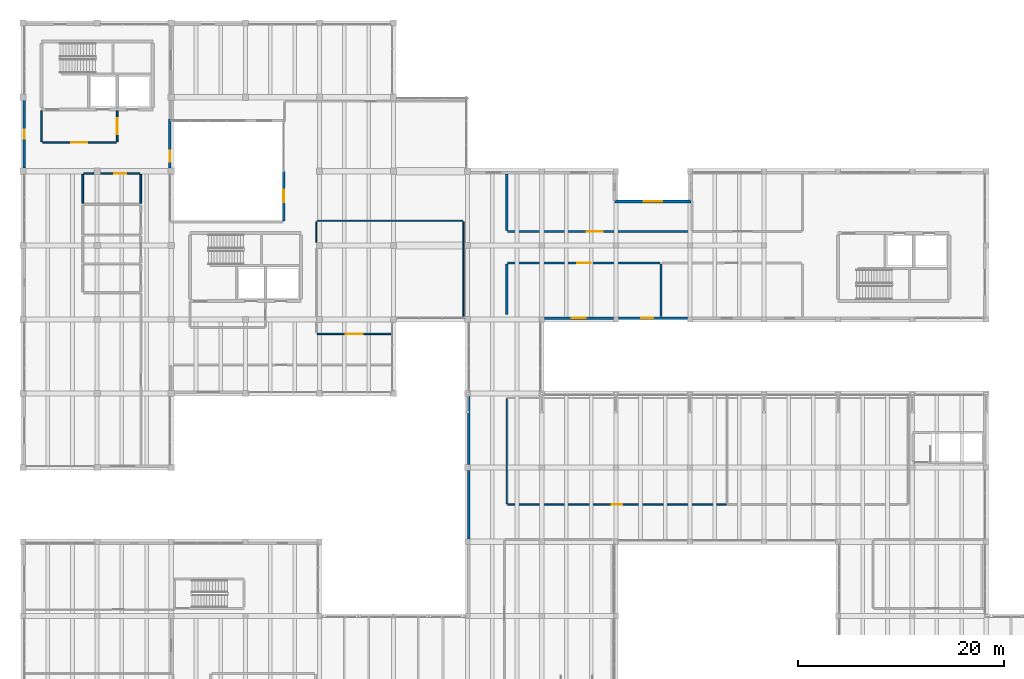
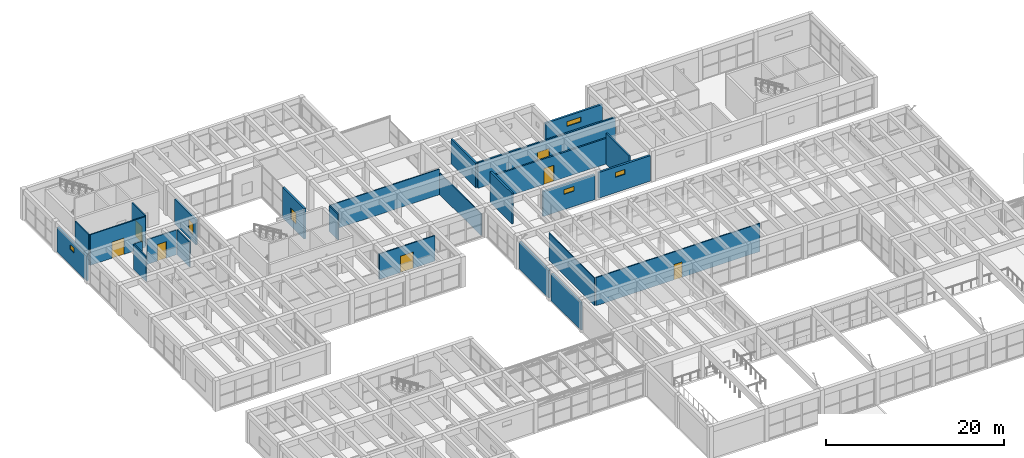
# One storey, part 139 of 153: 26 walls, 7 doors, 6 windows, 13 openings.
"""IFC4 building model written with IfcOpenShell, lengths in metres."""

import ifcopenshell
import ifcopenshell.guid

model = None  # the IFC model being written
_history = None  # IfcOwnerHistory: only IFC2X3 demands one
_inside = {}  # id of a spatial element -> (the spatial element, [elements in it])
_under = {}  # id of a project, library or spatial element -> (it, [spatial elements below it])
_declared = {}  # id of a project -> (the project, [libraries it declares])
_typed = {}  # id of a type object -> (the type object, [elements of that type])
_made_of = {}  # id of a material, layer set ... -> (it, [elements and type objects made of it])


def new_model(schema):
    """Start an empty IFC model of exactly this schema.

    Asked for "IFC4X3", IfcOpenShell would pick the latest addendum, in which some entities
    have other attributes; the version numbers below select the first issue.
    IFC2X3 requires an IfcOwnerHistory on every rooted entity: one is made here for all.
    """
    global model, _history
    if schema == "IFC4X3":
        model = ifcopenshell.file(schema_version=(4, 3, 0, 0))
    else:
        model = ifcopenshell.file(schema=schema)
    _inside.clear()
    _under.clear()
    _declared.clear()
    _typed.clear()
    _made_of.clear()
    _history = None
    if model.schema == "IFC2X3":
        org = make("IfcOrganization", Name="unknown")
        user = make(
            "IfcPersonAndOrganization",
            ThePerson=make("IfcPerson", FamilyName="unknown"),
            TheOrganization=org,
        )
        app = make(
            "IfcApplication",
            ApplicationDeveloper=org,
            Version="unknown",
            ApplicationFullName="unknown",
            ApplicationIdentifier="unknown",
        )
        _history = make(
            "IfcOwnerHistory",
            OwningUser=user,
            OwningApplication=app,
            ChangeAction="ADDED",
            CreationDate=0,
        )
    return model


def make(cls, **values):
    """One entity of the class cls with the attributes given. An attribute that is None is left unset."""
    return model.create_entity(
        cls, **{name: value for name, value in values.items() if value is not None}
    )


def rooted(cls, **values):
    """An entity with a GlobalId (a new one), such as an element, a storey or a relation."""
    return make(cls, GlobalId=ifcopenshell.guid.new(), OwnerHistory=_history, **values)


def si_unit(unit_type, name, prefix=None):
    """IfcSIUnit, for example si_unit("LENGTHUNIT", "METRE", prefix="MILLI")."""
    return make("IfcSIUnit", UnitType=unit_type, Prefix=prefix, Name=name)


def assignment(units):
    """IfcUnitAssignment: the units of a project."""
    return None if units is None else make("IfcUnitAssignment", Units=units)


def point(xyz):
    """IfcCartesianPoint."""
    return None if xyz is None else make("IfcCartesianPoint", Coordinates=xyz)


def direction(xyz):
    """IfcDirection."""
    return None if xyz is None else make("IfcDirection", DirectionRatios=xyz)


def frame(location, z_axis=None, x_axis=None):
    """IfcAxis2Placement3D, a coordinate frame: its origin and axes. An axis left out is left unset."""
    return make(
        "IfcAxis2Placement3D",
        Location=point(location),
        Axis=direction(z_axis),
        RefDirection=direction(x_axis),
    )


def frame_2d(location, x_axis=None):
    """IfcAxis2Placement2D, a coordinate frame in the plane: its origin and x axis."""
    return make(
        "IfcAxis2Placement2D", Location=point(location), RefDirection=direction(x_axis)
    )


def origin():
    """The frame at (0, 0, 0) with its axes left unset."""
    return frame((0.0, 0.0, 0.0))


def place(relative_to, where):
    """IfcLocalPlacement: puts the frame where relative to a parent placement (None: the world)."""
    return make(
        "IfcLocalPlacement", PlacementRelTo=relative_to, RelativePlacement=where
    )


def context(
    kind, dimensions, precision=None, world=None, true_north=None, identifier=None
):
    """IfcGeometricRepresentationContext, for example the 3D "Model" context."""
    return make(
        "IfcGeometricRepresentationContext",
        ContextIdentifier=identifier,
        ContextType=kind,
        CoordinateSpaceDimension=dimensions,
        Precision=precision,
        WorldCoordinateSystem=world,
        TrueNorth=true_north,
    )


def subcontext(parent, identifier, kind, view, scale=None):
    """IfcGeometricRepresentationSubContext, for example "Body" below "Model"."""
    return make(
        "IfcGeometricRepresentationSubContext",
        ContextIdentifier=identifier,
        ContextType=kind,
        ParentContext=parent,
        TargetScale=scale,
        TargetView=view,
    )


def project(units=None, contexts=None):
    """IfcProject with its units and contexts."""
    return rooted(
        "IfcProject",
        Name="project",
        RepresentationContexts=contexts,
        UnitsInContext=assignment(units),
    )


def spatial(cls, under=None, at=None, **own):
    """A site, building, storey or space (cls), placed at a placement, below another one or the project."""
    s = rooted(cls, ObjectPlacement=at, **own)
    if under is not None:
        _under.setdefault(under.id(), (under, []))[1].append(s)
    return s


def profile(cls, at=None, kind="AREA", **sizes):
    """A parametric profile (cls). Its sizes go by their IFC names, for example OverallWidth=200.0."""
    return make(cls, ProfileType=kind, Position=at, **sizes)


def rectangle(**sizes):
    """IfcRectangleProfileDef."""
    return profile("IfcRectangleProfileDef", **sizes)


def extrude(swept, where, along, depth):
    """IfcExtrudedAreaSolid: the profile swept, set in the frame where, extruded along a direction by depth."""
    return make(
        "IfcExtrudedAreaSolid",
        SweptArea=swept,
        Position=where,
        ExtrudedDirection=direction(along),
        Depth=depth,
    )


def shape(context_of_items, identifier, shape_type, items):
    """IfcShapeRepresentation: the items that make up one representation, for example the "Body"."""
    return make(
        "IfcShapeRepresentation",
        ContextOfItems=context_of_items,
        RepresentationIdentifier=identifier,
        RepresentationType=shape_type,
        Items=items,
    )


def material(Name=None, Category=None):
    """IfcMaterial."""
    return make("IfcMaterial", Name=Name, Category=Category)


def layer(
    of_material, thickness, ventilated=None, Name=None, Category=None, Priority=None
):
    """IfcMaterialLayer: one layer of a wall or slab, of a material (None: an air gap)."""
    return make(
        "IfcMaterialLayer",
        Material=of_material,
        LayerThickness=thickness,
        IsVentilated=ventilated,
        Name=Name,
        Category=Category,
        Priority=Priority,
    )


def layer_set(layers, Name=None):
    """IfcMaterialLayerSet."""
    return make("IfcMaterialLayerSet", MaterialLayers=layers, LayerSetName=Name)


def made_of(thing, what):
    """Note that an element or type object is made of a material, layer set ...; save() writes the relation."""
    if what is not None:
        _made_of.setdefault(what.id(), (what, []))[1].append(thing)
    return thing


def type_object(cls, material=None, **own):
    """A type object (cls), such as IfcWallType, which elements share."""
    return made_of(rooted(cls, **own), material)


def element(
    cls,
    number,
    at=None,
    inside=None,
    cuts=None,
    type_object=None,
    material=None,
    context=None,
    identifier="Body",
    shape_type=None,
    held_by="IfcProductDefinitionShape",
    body=None,
    shapes=None,
    **own,
):
    """One element of the class cls, such as IfcWall. Its Tag is "e" and its number.

    at: its placement. inside: the storey or other place that contains it. cuts: it is an
    opening in that element (IfcRelVoidsElement). A single representation is given by context,
    identifier, shape_type and body (its items); several are given by shapes. held_by: the class
    of the entity that holds the representations. save() writes the other relations.
    """
    e = rooted(cls, Tag="e%d" % number, ObjectPlacement=at, **own)
    if body is not None:
        shapes = [shape(context, identifier, shape_type, body)]
    if shapes is not None:
        e.Representation = make(held_by, Representations=shapes)
    if inside is not None:
        _inside.setdefault(inside.id(), (inside, []))[1].append(e)
    if cuts is not None:
        rooted(
            "IfcRelVoidsElement", RelatingBuildingElement=cuts, RelatedOpeningElement=e
        )
    if type_object is not None:
        _typed.setdefault(type_object.id(), (type_object, []))[1].append(e)
    return made_of(e, material)


def fill(opening, filler):
    """IfcRelFillsElement: the door or window that sits in an opening."""
    return rooted(
        "IfcRelFillsElement",
        RelatingOpeningElement=opening,
        RelatedBuildingElement=filler,
    )


def aggregate(whole, parts):
    """IfcRelAggregates: a whole, such as a stair, and the parts it consists of."""
    return rooted("IfcRelAggregates", RelatingObject=whole, RelatedObjects=parts)


def save(model, path):
    """Write the relations noted so far, then the file.

    IfcRelAggregates (storeys below a building ...), IfcRelContainedInSpatialStructure (elements
    in a storey), IfcRelDefinesByType, IfcRelAssociatesMaterial and IfcRelDeclares: one each for
    every whole, place, type object, material and project.
    """
    for whole, parts in _under.values():
        aggregate(whole, parts)
    for where, things in _inside.values():
        rooted(
            "IfcRelContainedInSpatialStructure",
            RelatedElements=things,
            RelatingStructure=where,
        )
    for kind, things in _typed.values():
        rooted("IfcRelDefinesByType", RelatedObjects=things, RelatingType=kind)
    for what, things in _made_of.values():
        rooted("IfcRelAssociatesMaterial", RelatedObjects=things, RelatingMaterial=what)
    for by, libraries in _declared.values():
        rooted("IfcRelDeclares", RelatingContext=by, RelatedDefinitions=libraries)
    model.write(path)


model = new_model("IFC4")

# Units and contexts
model_context = context("Model", 3, precision=1e-05, world=origin(), true_north=direction((0.0, 1.0)))
body_context = subcontext(model_context, "Body", "Model", "MODEL_VIEW")
ifc_project = project(units=[si_unit("LENGTHUNIT", "METRE"), si_unit("AREAUNIT", "SQUARE_METRE"), si_unit("VOLUMEUNIT", "CUBIC_METRE"), si_unit("PLANEANGLEUNIT", "RADIAN"), si_unit("MASSUNIT", "GRAM", prefix="KILO")], contexts=[model_context])

# Site, building, storey
site_placement = place(None, origin())
site = spatial("IfcSite", under=ifc_project, at=site_placement, CompositionType="ELEMENT")
building_placement = place(site_placement, origin())
building = spatial("IfcBuilding", under=site, at=building_placement, Name="Bramvelor Terrace Health Centre", CompositionType="ELEMENT")
storey_placement = place(building_placement, frame((0.0, 0.0, 4.800048828125)))
storey = spatial("IfcBuildingStorey", under=building, at=storey_placement, Name="L02", CompositionType="ELEMENT", Elevation=4.800048828125)

# Walls
ifc_material_1 = material(Name="Acoustic clinical partition board", Category="gypsum")
ifc_layer_1 = layer(ifc_material_1, 0.110107421875)
ifc_layer_set_1 = layer_set([ifc_layer_1], Name="Acoustic clinical partition board")
wall_type_1 = type_object("IfcWallType", Name="WL-CLN-110", PredefinedType="PARTITIONING", material=ifc_layer_set_1)
wall_1_placement = place(storey_placement, frame((42.800048828125, 95.909912109375, 0.0), z_axis=(0.0, 0.0, 1.0), x_axis=(0.0, -1.0, 0.0)))
element("IfcWall", 1, at=wall_1_placement, inside=storey, type_object=wall_type_1, Name="L02 Interior Partition 192", PredefinedType="PARTITIONING", context=body_context, shape_type="SweptSolid", body=[
    extrude(rectangle(XDim=9.260009765625, YDim=0.110107421875, at=frame_2d((4.6298828125, 0.0))), origin(), (0.0, 0.0, 1.0), 3.0),
])
ifc_material_2 = material(Name="Acoustic clinical partition board", Category="gypsum")
ifc_layer_2 = layer(ifc_material_2, 0.1201171875)
ifc_layer_set_2 = layer_set([ifc_layer_2], Name="Acoustic clinical partition board")
wall_type_2 = type_object("IfcWallType", Name="WL-CLN-120", PredefinedType="PARTITIONING", material=ifc_layer_set_2)
wall_2_placement = place(storey_placement, frame((47.0, 68.5, 0.0), z_axis=(0.0, 0.0, 1.0), x_axis=(0.000191296027, 0.999999981703, 0.0)))
element("IfcWall", 2, at=wall_2_placement, inside=storey, type_object=wall_type_2, Name="L02 Interior Partition 167", PredefinedType="PARTITIONING", context=body_context, shape_type="SweptSolid", body=[
    extrude(rectangle(XDim=10.2099609375, YDim=0.1201171875, at=frame_2d((5.10498046875, 0.0))), origin(), (0.0, 0.0, 1.0), 3.75),
])
wall_3_placement = place(storey_placement, frame((28.590087890625, 96.0, 0.0), z_axis=(0.0, 0.0, 1.0), x_axis=(1.0, 0.0, 0.0)))
element("IfcWall", 3, at=wall_3_placement, inside=storey, type_object=wall_type_2, Name="L02 Interior Partition 191", PredefinedType="PARTITIONING", context=body_context, shape_type="SweptSolid", body=[
    extrude(rectangle(XDim=14.119873046875, YDim=0.1201171875, at=frame_2d((7.06005859375, 0.0))), origin(), (0.0, 0.0, 1.0), 3.5),
])
wall_4_placement = place(storey_placement, frame((28.5, 93.9150390625, 0.0), z_axis=(0.0, 0.0, 1.0), x_axis=(0.0, 1.0, 0.0)))
element("IfcWall", 4, at=wall_4_placement, inside=storey, type_object=wall_type_2, Name="L02 Interior Partition 196", PredefinedType="PARTITIONING", context=body_context, shape_type="SweptSolid", body=[
    extrude(rectangle(XDim=1.994873046875, YDim=0.1201171875, at=frame_2d((0.99755859375, 0.0))), origin(), (0.0, 0.0, 1.0), 3.5),
])

# Wall, opening, door
ifc_material_3 = material(Name="Fire-rated gypsum and mineral wool", Category="gypsum")
ifc_layer_3 = layer(ifc_material_3, 0.139892578125)
ifc_layer_set_3 = layer_set([ifc_layer_3], Name="Fire-rated gypsum and mineral wool")
wall_type_3 = type_object("IfcWallType", Name="WL-COR-140", PredefinedType="PARTITIONING", material=ifc_layer_set_3)
wall_5_placement = place(storey_placement, frame((68.31005859375, 68.409912109375, 0.0), z_axis=(0.0, 0.0, 1.0), x_axis=(-1.0, 0.0, 0.0)))
wall_5 = element("IfcWall", 5, at=wall_5_placement, inside=storey, type_object=wall_type_3, Name="L02 Interior Partition 169", PredefinedType="PARTITIONING", context=body_context, shape_type="SweptSolid", body=[
    extrude(rectangle(XDim=21.219970703125, YDim=0.139892578125, at=frame_2d((10.60986328125, 0.0))), origin(), (0.0, 0.0, 1.0), 3.849853515625),
])
opening_1_placement = place(wall_5_placement, frame((10.090087890625, 0.0, 0.0)))
opening_1 = element("IfcOpeningElement", 6, at=opening_1_placement, cuts=wall_5, Name="Opening FD-07", PredefinedType="OPENING", context=body_context, shape_type="SweptSolid", body=[
    extrude(rectangle(XDim=1.0400390625, YDim=2.1201171875, at=frame_2d((0.52001953125, 1.06005859375))), frame((0.0, 0.079833984375, 0.0), z_axis=(0.0, -1.0, 0.0), x_axis=(1.0, 0.0, 0.0)), (0.0, 0.0, 1.0), 0.159912109375),
])
ifc_material_4 = material(Name="Fire-rated steel and vision panel", Category="steel")
door_type_1 = type_object("IfcDoorType", Name="DR-FD60-104", OperationType="NOTDEFINED", PredefinedType="DOOR", material=ifc_material_4)
door_1_placement = place(opening_1_placement, origin())
door_1 = element("IfcDoor", 7, at=door_1_placement, inside=storey, type_object=door_type_1, Name="L02 Audiology and Vision Screening Suite Fire Door", OperationType="SINGLE_SWING_LEFT", OverallHeight=2.1201171875, OverallWidth=1.0400390625, PredefinedType="DOOR", context=body_context, shape_type="SweptSolid", body=[
    extrude(rectangle(XDim=1.0400390625, YDim=2.1201171875, at=frame_2d((0.52001953125, 1.06005859375))), frame((0.0, 0.02490234375, 0.0), z_axis=(0.0, -1.0, 0.0), x_axis=(1.0, 0.0, 0.0)), (0.0, 0.0, 1.0), 0.050048828125),
])
fill(opening_1, door_1)

wall_6_placement = place(storey_placement, frame((35.77001953125, 85.001953125, 0.0), z_axis=(0.0, 0.0, 1.0), x_axis=(-1.0, 0.0, 0.0)))
wall_6 = element("IfcWall", 8, at=wall_6_placement, inside=storey, type_object=wall_type_3, Name="L02 Interior Partition 193", PredefinedType="PARTITIONING", context=body_context, shape_type="SweptSolid", body=[
    extrude(rectangle(XDim=7.179931640625, YDim=0.139892578125, at=frame_2d((3.58984375, 0.0))), origin(), (0.0, 0.0, 1.0), 3.5),
])
opening_2_placement = place(wall_6_placement, frame((2.77001953125, 0.0, 0.0)))
opening_2 = element("IfcOpeningElement", 9, at=opening_2_placement, cuts=wall_6, Name="Opening FD-09", PredefinedType="OPENING", context=body_context, shape_type="SweptSolid", body=[
    extrude(rectangle(XDim=1.639892578125, YDim=2.239990234375, at=frame_2d((0.81982421875, 1.1201171875))), frame((0.0, 0.079833984375, 0.0), z_axis=(0.0, -1.0, 0.0), x_axis=(1.0, 0.0, 0.0)), (0.0, 0.0, 1.0), 0.159912109375),
])
ifc_material_5 = material(Name="Fire-rated steel and vision panel", Category="steel")
door_type_2 = type_object("IfcDoorType", Name="DR-FD60-164", OperationType="DOUBLE_DOOR_SINGLE_SWING", PredefinedType="DOOR", material=ifc_material_5)
door_2_placement = place(opening_2_placement, origin())
door_2 = element("IfcDoor", 10, at=door_2_placement, inside=storey, type_object=door_type_2, Name="L02 Obstetrics Ultrasound Suite Fire Door", OperationType="DOUBLE_DOOR_SINGLE_SWING", OverallHeight=2.239990234375, OverallWidth=1.639892578125, PredefinedType="DOOR", context=body_context, shape_type="SweptSolid", body=[
    extrude(rectangle(XDim=1.639892578125, YDim=2.239990234375, at=frame_2d((0.81982421875, 1.1201171875))), frame((0.0, 0.02490234375, 0.0), z_axis=(0.0, -1.0, 0.0), x_axis=(1.0, 0.0, 0.0)), (0.0, 0.0, 1.0), 0.050048828125),
])
fill(opening_2, door_2)

# Wall, opening, window
ifc_material_6 = material(Name="Concrete C40/50", Category="concrete")
ifc_layer_4 = layer(ifc_material_6, 0.260009765625)
ifc_layer_set_4 = layer_set([ifc_layer_4], Name="Concrete C40/50")
wall_type_4 = type_object("IfcWallType", Name="WL-EXT-RAD260", PredefinedType="SOLIDWALL", material=ifc_layer_set_4)
wall_7_placement = place(storey_placement, frame((57.5390625, 97.8701171875, 0.0), z_axis=(0.0, 0.0, 1.0), x_axis=(1.0, 0.0, 0.0)))
wall_7 = element("IfcWall", 11, at=wall_7_placement, inside=storey, type_object=wall_type_4, Name="L02 Exterior Facade Wall 30", PredefinedType="SOLIDWALL", context=body_context, shape_type="SweptSolid", body=[
    extrude(rectangle(XDim=7.36181640625, YDim=0.260009765625, at=frame_2d((3.680908203125, 0.0))), origin(), (0.0, 0.0, 1.0), 3.5),
])
opening_3_placement = place(wall_7_placement, frame((2.760986328125, 0.0, 2.10009765625)))
opening_3 = element("IfcOpeningElement", 12, at=opening_3_placement, cuts=wall_7, Name="Opening WN-08", PredefinedType="OPENING", context=body_context, shape_type="SweptSolid", body=[
    extrude(rectangle(XDim=1.800048828125, YDim=0.64990234375, at=frame_2d((0.89990234375, 0.324951171875))), frame((0.0, 0.139892578125, 0.0), z_axis=(0.0, -1.0, 0.0), x_axis=(1.0, 0.0, 0.0)), (0.0, 0.0, 1.0), 0.280029296875),
])
ifc_material_7 = material(Name="Double low-E laminated glass", Category="glass")
window_type_1 = type_object("IfcWindowType", Name="WIN-EXT-08", PartitioningType="SINGLE_PANEL", PredefinedType="WINDOW", material=ifc_material_7)
window_1_placement = place(opening_3_placement, origin())
window_1 = element("IfcWindow", 13, at=window_1_placement, inside=storey, type_object=window_type_1, Name="L02 Scheduled Clinical Window 68", OverallHeight=0.64990234375, OverallWidth=1.800048828125, PartitioningType="SINGLE_PANEL", PredefinedType="WINDOW", context=body_context, shape_type="SweptSolid", body=[
    extrude(rectangle(XDim=1.800048828125, YDim=0.64990234375, at=frame_2d((0.89990234375, 0.324951171875))), frame((0.0, 0.030029296875, 0.0), z_axis=(0.0, -1.0, 0.0), x_axis=(1.0, 0.0, 0.0)), (0.0, 0.0, 1.0), 0.06005859375),
])
fill(opening_3, window_1)

wall_8_placement = place(storey_placement, frame((64.554931640625, 86.530029296875, 0.0), z_axis=(0.0, 0.0, 1.0), x_axis=(-1.0, 0.0, 0.0)))
wall_8 = element("IfcWall", 14, at=wall_8_placement, inside=storey, type_object=wall_type_4, Name="L02 Exterior Facade Wall 42", PredefinedType="SOLIDWALL", context=body_context, shape_type="SweptSolid", body=[
    extrude(rectangle(XDim=6.7099609375, YDim=0.260009765625, at=frame_2d((3.35498046875, 0.0))), origin(), (0.0, 0.0, 1.0), 3.5),
])
opening_4_placement = place(wall_8_placement, frame((3.304931640625, 0.0, 2.10009765625)))
opening_4 = element("IfcOpeningElement", 15, at=opening_4_placement, cuts=wall_8, Name="Opening WN-04", PredefinedType="OPENING", context=body_context, shape_type="SweptSolid", body=[
    extrude(rectangle(XDim=1.199951171875, YDim=0.64990234375, at=frame_2d((0.60009765625, 0.324951171875))), frame((0.0, 0.139892578125, 0.0), z_axis=(0.0, -1.0, 0.0), x_axis=(1.0, 0.0, 0.0)), (0.0, 0.0, 1.0), 0.280029296875),
])
ifc_material_8 = material(Name="Double low-E laminated glass", Category="glass")
window_type_2 = type_object("IfcWindowType", Name="WIN-EXT-04", PartitioningType="SINGLE_PANEL", PredefinedType="WINDOW", material=ifc_material_8)
window_2_placement = place(opening_4_placement, origin())
window_2 = element("IfcWindow", 16, at=window_2_placement, inside=storey, type_object=window_type_2, Name="L02 Scheduled Clinical Window 76", OverallHeight=0.64990234375, OverallWidth=1.199951171875, PartitioningType="SINGLE_PANEL", PredefinedType="WINDOW", context=body_context, shape_type="SweptSolid", body=[
    extrude(rectangle(XDim=1.199951171875, YDim=0.64990234375, at=frame_2d((0.60009765625, 0.324951171875))), frame((0.0, 0.030029296875, 0.0), z_axis=(0.0, -1.0, 0.0), x_axis=(1.0, 0.0, 0.0)), (0.0, 0.0, 1.0), 0.06005859375),
])
fill(opening_4, window_2)

wall_9_placement = place(storey_placement, frame((57.35498046875, 86.530029296875, 0.0), z_axis=(0.0, 0.0, 1.0), x_axis=(-1.0, 0.0, 0.0)))
wall_9 = element("IfcWall", 17, at=wall_9_placement, inside=storey, type_object=wall_type_4, Name="L02 Exterior Facade Wall 43", PredefinedType="SOLIDWALL", context=body_context, shape_type="SweptSolid", body=[
    extrude(rectangle(XDim=6.7099609375, YDim=0.260009765625, at=frame_2d((3.35498046875, 0.0))), origin(), (0.0, 0.0, 1.0), 3.39990234375),
])
opening_5_placement = place(wall_9_placement, frame((2.679931640625, 0.0, 2.10009765625)))
opening_5 = element("IfcOpeningElement", 18, at=opening_5_placement, cuts=wall_9, Name="Opening WN-05", PredefinedType="OPENING", context=body_context, shape_type="SweptSolid", body=[
    extrude(rectangle(XDim=1.35009765625, YDim=0.64990234375, at=frame_2d((0.675048828125, 0.324951171875))), frame((0.0, 0.139892578125, 0.0), z_axis=(0.0, -1.0, 0.0), x_axis=(1.0, 0.0, 0.0)), (0.0, 0.0, 1.0), 0.280029296875),
])
ifc_material_9 = material(Name="Double low-E laminated glass", Category="glass")
window_type_3 = type_object("IfcWindowType", Name="WIN-EXT-05", PartitioningType="SINGLE_PANEL", PredefinedType="WINDOW", material=ifc_material_9)
window_3_placement = place(opening_5_placement, origin())
window_3 = element("IfcWindow", 19, at=window_3_placement, inside=storey, type_object=window_type_3, Name="L02 Scheduled Clinical Window 77", OverallHeight=0.64990234375, OverallWidth=1.35009765625, PartitioningType="SINGLE_PANEL", PredefinedType="WINDOW", context=body_context, shape_type="SweptSolid", body=[
    extrude(rectangle(XDim=1.35009765625, YDim=0.64990234375, at=frame_2d((0.675048828125, 0.324951171875))), frame((0.0, 0.030029296875, 0.0), z_axis=(0.0, -1.0, 0.0), x_axis=(1.0, 0.0, 0.0)), (0.0, 0.0, 1.0), 0.06005859375),
])
fill(opening_5, window_3)

# Walls
ifc_material_10 = material(Name="Precast concrete C40/50", Category="concrete")
ifc_layer_5 = layer(ifc_material_10, 0.239990234375)
ifc_layer_set_5 = layer_set([ifc_layer_5], Name="Precast concrete C40/50")
wall_type_5 = type_object("IfcWallType", Name="WL-EXT-RC240", PredefinedType="SOLIDWALL", material=ifc_layer_set_5)
wall_10_placement = place(storey_placement, frame((43.330078125, 65.044921875, 0.0), z_axis=(0.0, 0.0, 1.0), x_axis=(0.0, 1.0, 0.0)))
element("IfcWall", 20, at=wall_10_placement, inside=storey, type_object=wall_type_5, Name="L02 Exterior Facade Wall 2", PredefinedType="SOLIDWALL", context=body_context, shape_type="SweptSolid", body=[
    extrude(rectangle(XDim=6.66015625, YDim=0.239990234375, at=frame_2d((3.330078125, 0.0))), origin(), (0.0, 0.0, 1.0), 3.75),
])
wall_11_placement = place(storey_placement, frame((43.330078125, 72.294921875, 0.0), z_axis=(0.0, 0.0, 1.0), x_axis=(0.0, 1.0, 0.0)))
element("IfcWall", 21, at=wall_11_placement, inside=storey, type_object=wall_type_5, Name="L02 Exterior Facade Wall 3", PredefinedType="SOLIDWALL", context=body_context, shape_type="SweptSolid", body=[
    extrude(rectangle(XDim=6.610107421875, YDim=0.239990234375, at=frame_2d((3.30517578125, 0.0))), origin(), (0.0, 0.0, 1.0), 3.75),
])

# Wall, opening, window
wall_12_placement = place(storey_placement, frame((0.1298828125, 101.094970703125, 0.0), z_axis=(0.0, 0.0, 1.0), x_axis=(0.0, 1.0, 0.0)))
wall_12 = element("IfcWall", 22, at=wall_12_placement, inside=storey, type_object=wall_type_5, Name="L02 Exterior Facade Wall 17", PredefinedType="SOLIDWALL", context=body_context, shape_type="SweptSolid", body=[
    extrude(rectangle(XDim=6.610107421875, YDim=0.239990234375, at=frame_2d((3.30517578125, 0.0))), origin(), (0.0, 0.0, 1.0), 3.39990234375),
])
opening_6_placement = place(wall_12_placement, frame((2.85498046875, 0.0, 2.10009765625)))
opening_6 = element("IfcOpeningElement", 23, at=opening_6_placement, cuts=wall_12, Name="Opening WN-02", PredefinedType="OPENING", context=body_context, shape_type="SweptSolid", body=[
    extrude(rectangle(XDim=0.89990234375, YDim=0.64990234375, at=frame_2d((0.449951171875, 0.324951171875))), frame((0.0, 0.1298828125, 0.0), z_axis=(0.0, -1.0, 0.0), x_axis=(1.0, 0.0, 0.0)), (0.0, 0.0, 1.0), 0.260009765625),
])
ifc_material_11 = material(Name="Double low-E laminated glass", Category="glass")
window_type_4 = type_object("IfcWindowType", Name="WIN-EXT-02", PartitioningType="SINGLE_PANEL", PredefinedType="WINDOW", material=ifc_material_11)
window_4_placement = place(opening_6_placement, origin())
window_4 = element("IfcWindow", 24, at=window_4_placement, inside=storey, type_object=window_type_4, Name="L02 Scheduled Clinical Window 62", OverallHeight=0.64990234375, OverallWidth=0.89990234375, PartitioningType="SINGLE_PANEL", PredefinedType="WINDOW", context=body_context, shape_type="SweptSolid", body=[
    extrude(rectangle(XDim=0.89990234375, YDim=0.64990234375, at=frame_2d((0.449951171875, 0.324951171875))), frame((0.0, 0.030029296875, 0.0), z_axis=(0.0, -1.0, 0.0), x_axis=(1.0, 0.0, 0.0)), (0.0, 0.0, 1.0), 0.06005859375),
])
fill(opening_6, window_4)

wall_13_placement = place(storey_placement, frame((14.27001953125, 105.861083984375, 0.0), z_axis=(0.0, 0.0, 1.0), x_axis=(0.0, -1.0, 0.0)))
wall_13 = element("IfcWall", 25, at=wall_13_placement, inside=storey, type_object=wall_type_5, Name="L02 Exterior Facade Wall 123", PredefinedType="SOLIDWALL", context=body_context, shape_type="SweptSolid", body=[
    extrude(rectangle(XDim=4.76611328125, YDim=0.239990234375, at=frame_2d((2.383056640625, 0.0))), origin(), (0.0, 0.0, 1.0), 3.39990234375),
])
opening_7_placement = place(wall_13_placement, frame((3.07861328125, 0.0, 0.949951171875)))
opening_7 = element("IfcOpeningElement", 26, at=opening_7_placement, cuts=wall_13, Name="Opening WN-39", PredefinedType="OPENING", context=body_context, shape_type="SweptSolid", body=[
    extrude(rectangle(XDim=1.050048828125, YDim=1.550048828125, at=frame_2d((0.52490234375, 0.77490234375))), frame((0.0, 0.1298828125, 0.0), z_axis=(0.0, -1.0, 0.0), x_axis=(1.0, 0.0, 0.0)), (0.0, 0.0, 1.0), 0.260009765625),
])
ifc_material_12 = material(Name="Double low-E laminated glass", Category="glass")
window_type_5 = type_object("IfcWindowType", Name="WIN-EXT-39", PartitioningType="SINGLE_PANEL", PredefinedType="WINDOW", material=ifc_material_12)
window_5_placement = place(opening_7_placement, origin())
window_5 = element("IfcWindow", 27, at=window_5_placement, inside=storey, type_object=window_type_5, Name="L02 Scheduled Clinical Window 99", OverallHeight=1.550048828125, OverallWidth=1.050048828125, PartitioningType="SINGLE_PANEL", PredefinedType="WINDOW", context=body_context, shape_type="SweptSolid", body=[
    extrude(rectangle(XDim=1.050048828125, YDim=1.550048828125, at=frame_2d((0.52490234375, 0.77490234375))), frame((0.0, 0.030029296875, 0.0), z_axis=(0.0, -1.0, 0.0), x_axis=(1.0, 0.0, 0.0)), (0.0, 0.0, 1.0), 0.06005859375),
])
fill(opening_7, window_5)

wall_14_placement = place(storey_placement, frame((25.330078125, 95.97998046875, 0.0), z_axis=(0.0, 0.0, 1.0), x_axis=(0.0, 1.0, 0.0)))
wall_14 = element("IfcWall", 28, at=wall_14_placement, inside=storey, type_object=wall_type_5, Name="L02 Exterior Facade Wall 127", PredefinedType="SOLIDWALL", context=body_context, shape_type="SweptSolid", body=[
    extrude(rectangle(XDim=4.820068359375, YDim=0.239990234375, at=frame_2d((2.41015625, 0.0))), origin(), (0.0, 0.0, 1.0), 4.199951171875),
])
opening_8_placement = place(wall_14_placement, frame((1.81005859375, 0.0, 0.949951171875)))
opening_8 = element("IfcOpeningElement", 29, at=opening_8_placement, cuts=wall_14, Name="Opening WN-40", PredefinedType="OPENING", context=body_context, shape_type="SweptSolid", body=[
    extrude(rectangle(XDim=1.199951171875, YDim=1.550048828125, at=frame_2d((0.60009765625, 0.77490234375))), frame((0.0, 0.1298828125, 0.0), z_axis=(0.0, -1.0, 0.0), x_axis=(1.0, 0.0, 0.0)), (0.0, 0.0, 1.0), 0.260009765625),
])
ifc_material_13 = material(Name="Double low-E laminated glass", Category="glass")
window_type_6 = type_object("IfcWindowType", Name="WIN-EXT-40", PartitioningType="SINGLE_PANEL", PredefinedType="WINDOW", material=ifc_material_13)
window_6_placement = place(opening_8_placement, origin())
window_6 = element("IfcWindow", 30, at=window_6_placement, inside=storey, type_object=window_type_6, Name="L02 Scheduled Clinical Window 100", OverallHeight=1.550048828125, OverallWidth=1.199951171875, PartitioningType="SINGLE_PANEL", PredefinedType="WINDOW", context=body_context, shape_type="SweptSolid", body=[
    extrude(rectangle(XDim=1.199951171875, YDim=1.550048828125, at=frame_2d((0.60009765625, 0.77490234375))), frame((0.0, 0.030029296875, 0.0), z_axis=(0.0, -1.0, 0.0), x_axis=(1.0, 0.0, 0.0)), (0.0, 0.0, 1.0), 0.06005859375),
])
fill(opening_8, window_6)

# Wall
ifc_material_14 = material(Name="Fire-rated gypsum and mineral wool", Category="gypsum")
ifc_layer_6 = layer(ifc_material_14, 0.14990234375)
ifc_layer_set_6 = layer_set([ifc_layer_6], Name="Fire-rated gypsum and mineral wool")
wall_type_6 = type_object("IfcWallType", Name="WL-FIR-150", PredefinedType="PARTITIONING", material=ifc_layer_set_6)
wall_15_placement = place(storey_placement, frame((1.800048828125, 103.68994140625, 0.0), z_axis=(0.0, 0.0, 1.0), x_axis=(0.0, 1.0, 0.0)))
element("IfcWall", 31, at=wall_15_placement, inside=storey, type_object=wall_type_6, Name="L02 Interior Partition 140", PredefinedType="PARTITIONING", context=body_context, shape_type="SweptSolid", body=[
    extrude(rectangle(XDim=3.01513671875, YDim=0.14990234375, at=frame_2d((1.507568359375, 0.0))), origin(), (0.0, 0.0, 1.0), 4.199951171875),
])

# Wall, opening, door
wall_16_placement = place(storey_placement, frame((9.14990234375, 106.68310546875, 0.0), z_axis=(0.0, 0.0, 1.0), x_axis=(0.0, -1.0, 0.0)))
wall_16 = element("IfcWall", 32, at=wall_16_placement, inside=storey, type_object=wall_type_6, Name="L02 Interior Partition 141", PredefinedType="PARTITIONING", context=body_context, shape_type="SweptSolid", body=[
    extrude(rectangle(XDim=2.9931640625, YDim=0.14990234375, at=frame_2d((1.49658203125, 0.0))), origin(), (0.0, 0.0, 1.0), 4.199951171875),
])
opening_9_placement = place(wall_16_placement, frame((0.716552734375, 0.0, 0.0)))
opening_9 = element("IfcOpeningElement", 33, at=opening_9_placement, cuts=wall_16, Name="Opening FD-03", PredefinedType="OPENING", context=body_context, shape_type="SweptSolid", body=[
    extrude(rectangle(XDim=1.56005859375, YDim=2.219970703125, at=frame_2d((0.780029296875, 1.10986328125))), frame((0.0, 0.0849609375, 0.0), z_axis=(0.0, -1.0, 0.0), x_axis=(1.0, 0.0, 0.0)), (0.0, 0.0, 1.0), 0.169921875),
])
ifc_material_15 = material(Name="Fire-rated steel and vision panel", Category="steel")
door_type_3 = type_object("IfcDoorType", Name="DR-FD90-156", OperationType="DOUBLE_DOOR_SINGLE_SWING", PredefinedType="DOOR", material=ifc_material_15)
door_3_placement = place(opening_9_placement, origin())
door_3 = element("IfcDoor", 34, at=door_3_placement, inside=storey, type_object=door_type_3, Name="L02 Fire Compartment Lobby Door 55", OperationType="DOUBLE_DOOR_SINGLE_SWING", OverallHeight=2.219970703125, OverallWidth=1.56005859375, PredefinedType="DOOR", context=body_context, shape_type="SweptSolid", body=[
    extrude(rectangle(XDim=1.56005859375, YDim=2.219970703125, at=frame_2d((0.780029296875, 1.10986328125))), frame((0.0, 0.02490234375, 0.0), z_axis=(0.0, -1.0, 0.0), x_axis=(1.0, 0.0, 0.0)), (0.0, 0.0, 1.0), 0.050048828125),
])
fill(opening_9, door_3)

wall_17_placement = place(storey_placement, frame((9.06005859375, 103.60009765625, 0.0), z_axis=(0.0, 0.0, 1.0), x_axis=(-1.0, 0.0, 0.0)))
wall_17 = element("IfcWall", 35, at=wall_17_placement, inside=storey, type_object=wall_type_6, Name="L02 Interior Partition 142", PredefinedType="PARTITIONING", context=body_context, shape_type="SweptSolid", body=[
    extrude(rectangle(XDim=7.170166015625, YDim=0.14990234375, at=frame_2d((3.5849609375, 0.0))), origin(), (0.0, 0.0, 1.0), 4.199951171875),
])
opening_10_placement = place(wall_17_placement, frame((2.804931640625, 0.0, 0.0)))
opening_10 = element("IfcOpeningElement", 36, at=opening_10_placement, cuts=wall_17, Name="Opening FD-03", PredefinedType="OPENING", context=body_context, shape_type="SweptSolid", body=[
    extrude(rectangle(XDim=1.56005859375, YDim=2.219970703125, at=frame_2d((0.780029296875, 1.10986328125))), frame((0.0, 0.0849609375, 0.0), z_axis=(0.0, -1.0, 0.0), x_axis=(1.0, 0.0, 0.0)), (0.0, 0.0, 1.0), 0.169921875),
])
door_4_placement = place(opening_10_placement, origin())
door_4 = element("IfcDoor", 37, at=door_4_placement, inside=storey, type_object=door_type_3, Name="L02 Fire Compartment Lobby Door 56", OperationType="DOUBLE_DOOR_SINGLE_SWING", OverallHeight=2.219970703125, OverallWidth=1.56005859375, PredefinedType="DOOR", context=body_context, shape_type="SweptSolid", body=[
    extrude(rectangle(XDim=1.56005859375, YDim=2.219970703125, at=frame_2d((0.780029296875, 1.10986328125))), frame((0.0, 0.02490234375, 0.0), z_axis=(0.0, -1.0, 0.0), x_axis=(1.0, 0.0, 0.0)), (0.0, 0.0, 1.0), 0.050048828125),
])
fill(opening_10, door_4)

# Wall
ifc_material_16 = material(Name="Moisture-resistant service chase board", Category="gypsum")
ifc_layer_7 = layer(ifc_material_16, 0.159912109375)
ifc_layer_set_7 = layer_set([ifc_layer_7], Name="Moisture-resistant service chase board")
wall_type_7 = type_object("IfcWallType", Name="WL-PLM-160", PredefinedType="PLUMBINGWALL", material=ifc_layer_set_7)
wall_18_placement = place(storey_placement, frame((5.889892578125, 100.597900390625, 0.0), z_axis=(0.0, 0.0, 1.0), x_axis=(1.0, 0.0, 0.0)))
element("IfcWall", 38, at=wall_18_placement, inside=storey, type_object=wall_type_7, Name="L02 Interior Partition 146", PredefinedType="PLUMBINGWALL", context=body_context, shape_type="SweptSolid", body=[
    extrude(rectangle(XDim=0.9951171875, YDim=0.159912109375, at=frame_2d((0.49755859375, 0.0))), origin(), (0.0, 0.0, 1.0), 3.39990234375),
])

# Wall, opening, door
wall_19_placement = place(storey_placement, frame((7.514892578125, 100.597900390625, 0.0), z_axis=(0.0, 0.0, 1.0), x_axis=(1.0, 0.0, 0.0)))
wall_19 = element("IfcWall", 39, at=wall_19_placement, inside=storey, type_object=wall_type_7, Name="L02 Interior Partition 147", PredefinedType="PLUMBINGWALL", context=body_context, shape_type="SweptSolid", body=[
    extrude(rectangle(XDim=3.835205078125, YDim=0.159912109375, at=frame_2d((1.91748046875, 0.0))), origin(), (0.0, 0.0, 1.0), 3.39990234375),
])
opening_11_placement = place(wall_19_placement, frame((1.33740234375, 0.0, 0.0)))
opening_11 = element("IfcOpeningElement", 40, at=opening_11_placement, cuts=wall_19, Name="Opening ID-C05", PredefinedType="OPENING", context=body_context, shape_type="SweptSolid", body=[
    extrude(rectangle(XDim=1.159912109375, YDim=2.260009765625, at=frame_2d((0.580078125, 1.1298828125))), frame((0.0, 0.08984375, 0.0), z_axis=(0.0, -1.0, 0.0), x_axis=(1.0, 0.0, 0.0)), (0.0, 0.0, 1.0), 0.179931640625),
])
ifc_material_17 = material(Name="Solid-core acoustic timber laminate", Category="wood")
door_type_4 = type_object("IfcDoorType", Name="DR-CLN-05", OperationType="NOTDEFINED", PredefinedType="DOOR", material=ifc_material_17)
door_5_placement = place(opening_11_placement, origin())
door_5 = element("IfcDoor", 41, at=door_5_placement, inside=storey, type_object=door_type_4, Name="L02 Accessible Male WC Clinical Door", OperationType="SINGLE_SWING_LEFT", OverallHeight=2.260009765625, OverallWidth=1.159912109375, PredefinedType="DOOR", context=body_context, shape_type="SweptSolid", body=[
    extrude(rectangle(XDim=1.159912109375, YDim=2.260009765625, at=frame_2d((0.580078125, 1.1298828125))), frame((0.0, 0.02490234375, 0.0), z_axis=(0.0, -1.0, 0.0), x_axis=(1.0, 0.0, 0.0)), (0.0, 0.0, 1.0), 0.050048828125),
])
fill(opening_11, door_5)

# Walls
for number, where, z_axis, x_axis, name in (
    (42, (11.43994140625, 100.508056640625, 0.0), (0.0, 0.0, 1.0), (0.0, -1.0, 0.0), "L02 Interior Partition 148"),
    (43, (5.800048828125, 97.68994140625, 0.0), (0.0, 0.0, 1.0), (0.0, 1.0, 0.0), "L02 Interior Partition 150"),
):
    element("IfcWall", number, at=place(storey_placement, frame(where, z_axis=z_axis, x_axis=x_axis)), inside=storey, type_object=wall_type_7, Name=name, PredefinedType="PLUMBINGWALL", context=body_context, shape_type="SweptSolid", body=[
        extrude(rectangle(XDim=2.818115234375, YDim=0.159912109375, at=frame_2d((1.4091796875, 0.0))), origin(), (0.0, 0.0, 1.0), 3.39990234375),
    ])
ifc_material_18 = material(Name="Concrete C40/50", Category="concrete")
ifc_layer_8 = layer(ifc_material_18, 0.2099609375)
ifc_layer_set_8 = layer_set([ifc_layer_8], Name="Concrete C40/50")
wall_type_8 = type_object("IfcWallType", Name="WL-RAD-210", PredefinedType="SOLIDWALL", material=ifc_layer_set_8)
wall_20_placement = place(storey_placement, frame((47.001953125, 86.889892578125, 0.0), z_axis=(0.0, 0.0, 1.0), x_axis=(0.0, 1.0, 0.0)))
element("IfcWall", 44, at=wall_20_placement, inside=storey, type_object=wall_type_8, Name="L02 Interior Partition 201", PredefinedType="SOLIDWALL", context=body_context, shape_type="SweptSolid", body=[
    extrude(rectangle(XDim=4.918212890625, YDim=0.2099609375, at=frame_2d((2.458984375, 0.0))), origin(), (0.0, 0.0, 1.0), 4.199951171875),
])

# Wall, opening, door
wall_21_placement = place(storey_placement, frame((47.092041015625, 91.89794921875, 0.0), z_axis=(0.0, 0.0, 1.0), x_axis=(1.0, 0.0, 0.0)))
wall_21 = element("IfcWall", 45, at=wall_21_placement, inside=storey, type_object=wall_type_8, Name="L02 Interior Partition 202", PredefinedType="SOLIDWALL", context=body_context, shape_type="SweptSolid", body=[
    extrude(rectangle(XDim=14.81787109375, YDim=0.2099609375, at=frame_2d((7.408935546875, 0.0))), origin(), (0.0, 0.0, 1.0), 3.5),
])
opening_12_placement = place(wall_21_placement, frame((6.76904296875, 0.0, 0.0)))
opening_12 = element("IfcOpeningElement", 46, at=opening_12_placement, cuts=wall_21, Name="Opening FD-01", PredefinedType="OPENING", context=body_context, shape_type="SweptSolid", body=[
    extrude(rectangle(XDim=1.280029296875, YDim=2.179931640625, at=frame_2d((0.64013671875, 1.08984375))), frame((0.0, 0.114990234375, 0.0), z_axis=(0.0, -1.0, 0.0), x_axis=(1.0, 0.0, 0.0)), (0.0, 0.0, 1.0), 0.22998046875),
])
ifc_material_19 = material(Name="Fire-rated steel and vision panel", Category="steel")
door_type_5 = type_object("IfcDoorType", Name="DR-FD90-128", OperationType="NOTDEFINED", PredefinedType="DOOR", material=ifc_material_19)
door_6_placement = place(opening_12_placement, origin())
door_6 = element("IfcDoor", 47, at=door_6_placement, inside=storey, type_object=door_type_5, Name="L02 Digital Radiography X-Ray Room 1 Fire Door", OperationType="SINGLE_SWING_RIGHT", OverallHeight=2.179931640625, OverallWidth=1.280029296875, PredefinedType="DOOR", context=body_context, shape_type="SweptSolid", body=[
    extrude(rectangle(XDim=1.280029296875, YDim=2.179931640625, at=frame_2d((0.64013671875, 1.08984375))), frame((0.0, 0.02490234375, 0.0), z_axis=(0.0, -1.0, 0.0), x_axis=(1.0, 0.0, 0.0)), (0.0, 0.0, 1.0), 0.050048828125),
])
fill(opening_12, door_6)

# Wall
wall_22_placement = place(storey_placement, frame((62.0, 91.80810546875, 0.0), z_axis=(0.0, 0.0, 1.0), x_axis=(0.0, -1.0, 0.0)))
element("IfcWall", 48, at=wall_22_placement, inside=storey, type_object=wall_type_8, Name="L02 Interior Partition 203", PredefinedType="SOLIDWALL", context=body_context, shape_type="SweptSolid", body=[
    extrude(rectangle(XDim=5.13818359375, YDim=0.2099609375, at=frame_2d((2.569091796875, 0.0))), origin(), (0.0, 0.0, 1.0), 4.199951171875),
])

# Wall, opening, door
wall_23_placement = place(storey_placement, frame((64.909912109375, 94.951904296875, 0.0), z_axis=(0.0, 0.0, 1.0), x_axis=(-1.0, 0.0, 0.0)))
wall_23 = element("IfcWall", 49, at=wall_23_placement, inside=storey, type_object=wall_type_8, Name="L02 Interior Partition 207", PredefinedType="SOLIDWALL", context=body_context, shape_type="SweptSolid", body=[
    extrude(rectangle(XDim=17.81982421875, YDim=0.2099609375, at=frame_2d((8.909912109375, 0.0))), origin(), (0.0, 0.0, 1.0), 3.5),
])
opening_13_placement = place(wall_23_placement, frame((8.580078125, 0.0, 0.0)))
opening_13 = element("IfcOpeningElement", 50, at=opening_13_placement, cuts=wall_23, Name="Opening FD-03", PredefinedType="OPENING", context=body_context, shape_type="SweptSolid", body=[
    extrude(rectangle(XDim=1.56005859375, YDim=2.219970703125, at=frame_2d((0.780029296875, 1.10986328125))), frame((0.0, 0.114990234375, 0.0), z_axis=(0.0, -1.0, 0.0), x_axis=(1.0, 0.0, 0.0)), (0.0, 0.0, 1.0), 0.22998046875),
])
door_7_placement = place(opening_13_placement, origin())
door_7 = element("IfcDoor", 51, at=door_7_placement, inside=storey, type_object=door_type_3, Name="L02 Mammography Screening Suite Fire Door", OperationType="DOUBLE_DOOR_SINGLE_SWING", OverallHeight=2.219970703125, OverallWidth=1.56005859375, PredefinedType="DOOR", context=body_context, shape_type="SweptSolid", body=[
    extrude(rectangle(XDim=1.56005859375, YDim=2.219970703125, at=frame_2d((0.780029296875, 1.10986328125))), frame((0.0, 0.02490234375, 0.0), z_axis=(0.0, -1.0, 0.0), x_axis=(1.0, 0.0, 0.0)), (0.0, 0.0, 1.0), 0.050048828125),
])
fill(opening_13, door_7)

# Wall
wall_24_placement = place(storey_placement, frame((47.0, 95.0419921875, 0.0), z_axis=(0.0, 0.0, 1.0), x_axis=(0.0, 1.0, 0.0)))
element("IfcWall", 52, at=wall_24_placement, inside=storey, type_object=wall_type_8, Name="L02 Interior Partition 208", PredefinedType="SOLIDWALL", context=body_context, shape_type="SweptSolid", body=[
    extrude(rectangle(XDim=5.488037109375, YDim=0.2099609375, at=frame_2d((2.744140625, 0.0))), origin(), (0.0, 0.0, 1.0), 3.39990234375),
])

save(model, "model.ifc")
